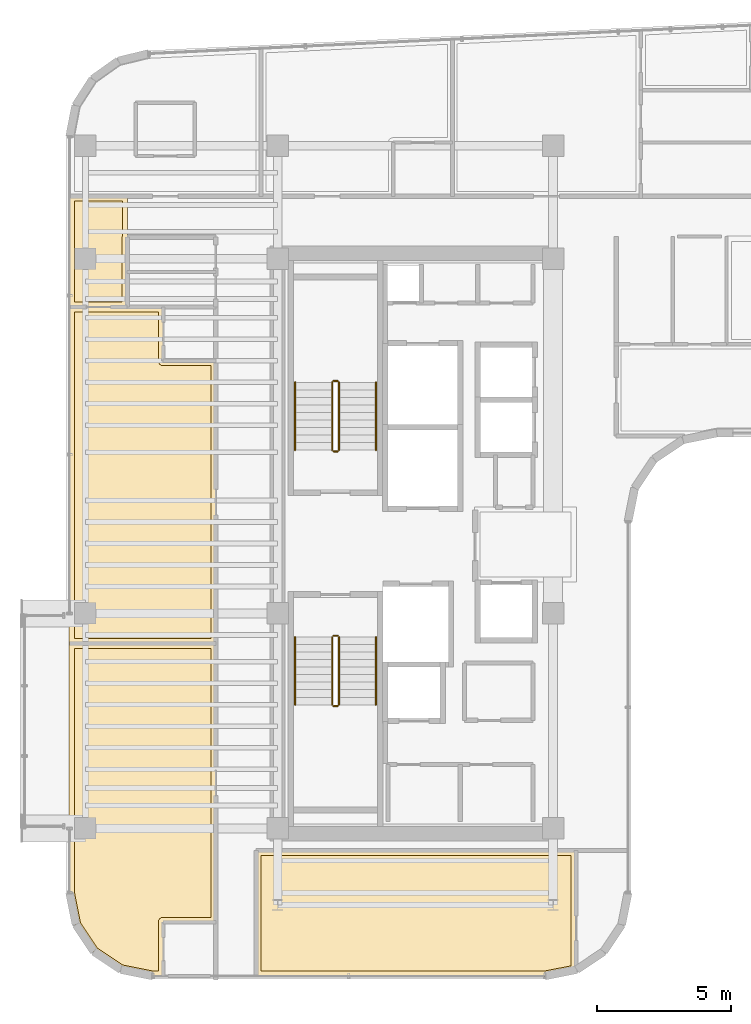
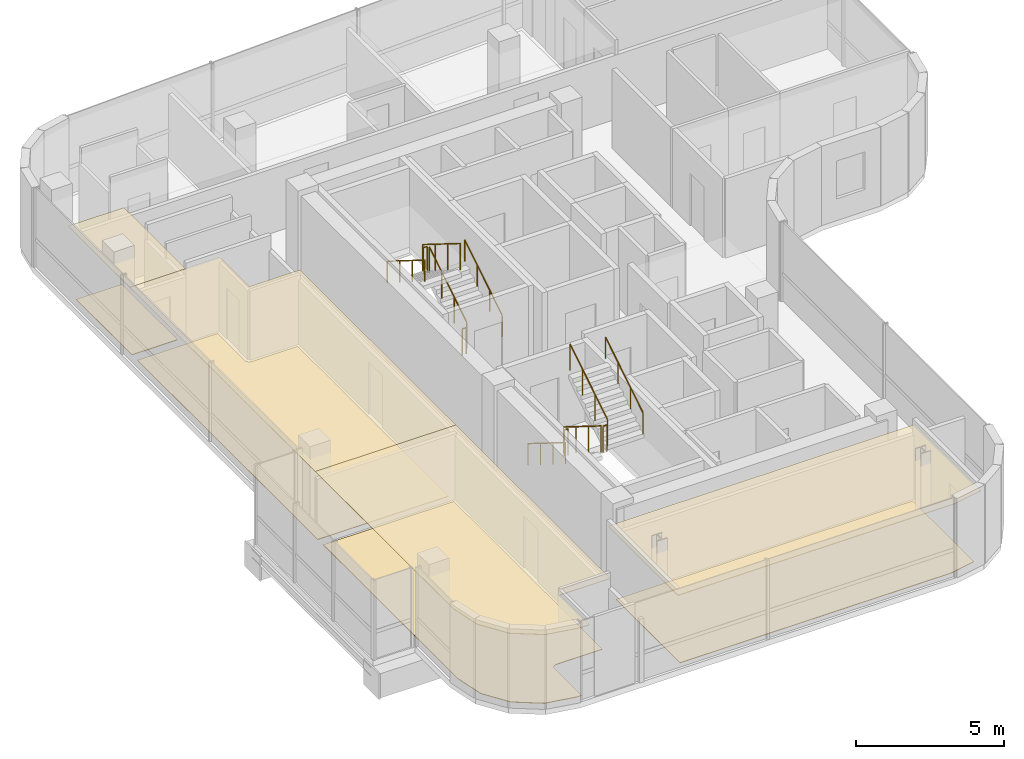
# One storey, part 18 of 19: 12 railings, 8 coverings.
"""IFC4 building model written with IfcOpenShell, lengths in metres."""

import ifcopenshell
import ifcopenshell.guid

model = None  # the IFC model being written
_history = None  # IfcOwnerHistory: only IFC2X3 demands one
_inside = {}  # id of a spatial element -> (the spatial element, [elements in it])
_under = {}  # id of a project, library or spatial element -> (it, [spatial elements below it])
_declared = {}  # id of a project -> (the project, [libraries it declares])
_typed = {}  # id of a type object -> (the type object, [elements of that type])
_made_of = {}  # id of a material, layer set ... -> (it, [elements and type objects made of it])


def new_model(schema):
    """Start an empty IFC model of exactly this schema.

    Asked for "IFC4X3", IfcOpenShell would pick the latest addendum, in which some entities
    have other attributes; the version numbers below select the first issue.
    IFC2X3 requires an IfcOwnerHistory on every rooted entity: one is made here for all.
    """
    global model, _history
    if schema == "IFC4X3":
        model = ifcopenshell.file(schema_version=(4, 3, 0, 0))
    else:
        model = ifcopenshell.file(schema=schema)
    _inside.clear()
    _under.clear()
    _declared.clear()
    _typed.clear()
    _made_of.clear()
    _history = None
    if model.schema == "IFC2X3":
        org = make("IfcOrganization", Name="unknown")
        user = make(
            "IfcPersonAndOrganization",
            ThePerson=make("IfcPerson", FamilyName="unknown"),
            TheOrganization=org,
        )
        app = make(
            "IfcApplication",
            ApplicationDeveloper=org,
            Version="unknown",
            ApplicationFullName="unknown",
            ApplicationIdentifier="unknown",
        )
        _history = make(
            "IfcOwnerHistory",
            OwningUser=user,
            OwningApplication=app,
            ChangeAction="ADDED",
            CreationDate=0,
        )
    return model


def make(cls, **values):
    """One entity of the class cls with the attributes given. An attribute that is None is left unset."""
    return model.create_entity(
        cls, **{name: value for name, value in values.items() if value is not None}
    )


def rooted(cls, **values):
    """An entity with a GlobalId (a new one), such as an element, a storey or a relation."""
    return make(cls, GlobalId=ifcopenshell.guid.new(), OwnerHistory=_history, **values)


def si_unit(unit_type, name, prefix=None):
    """IfcSIUnit, for example si_unit("LENGTHUNIT", "METRE", prefix="MILLI")."""
    return make("IfcSIUnit", UnitType=unit_type, Prefix=prefix, Name=name)


def assignment(units):
    """IfcUnitAssignment: the units of a project."""
    return None if units is None else make("IfcUnitAssignment", Units=units)


def point(xyz):
    """IfcCartesianPoint."""
    return None if xyz is None else make("IfcCartesianPoint", Coordinates=xyz)


def direction(xyz):
    """IfcDirection."""
    return None if xyz is None else make("IfcDirection", DirectionRatios=xyz)


def frame(location, z_axis=None, x_axis=None):
    """IfcAxis2Placement3D, a coordinate frame: its origin and axes. An axis left out is left unset."""
    return make(
        "IfcAxis2Placement3D",
        Location=point(location),
        Axis=direction(z_axis),
        RefDirection=direction(x_axis),
    )


def frame_2d(location, x_axis=None):
    """IfcAxis2Placement2D, a coordinate frame in the plane: its origin and x axis."""
    return make(
        "IfcAxis2Placement2D", Location=point(location), RefDirection=direction(x_axis)
    )


def origin():
    """The frame at (0, 0, 0) with its axes left unset."""
    return frame((0.0, 0.0, 0.0))


def origin_2d():
    """The frame at (0, 0) in the plane with its x axis left unset."""
    return frame_2d((0.0, 0.0))


def place(relative_to, where):
    """IfcLocalPlacement: puts the frame where relative to a parent placement (None: the world)."""
    return make(
        "IfcLocalPlacement", PlacementRelTo=relative_to, RelativePlacement=where
    )


def context(
    kind, dimensions, precision=None, world=None, true_north=None, identifier=None
):
    """IfcGeometricRepresentationContext, for example the 3D "Model" context."""
    return make(
        "IfcGeometricRepresentationContext",
        ContextIdentifier=identifier,
        ContextType=kind,
        CoordinateSpaceDimension=dimensions,
        Precision=precision,
        WorldCoordinateSystem=world,
        TrueNorth=true_north,
    )


def subcontext(parent, identifier, kind, view, scale=None):
    """IfcGeometricRepresentationSubContext, for example "Body" below "Model"."""
    return make(
        "IfcGeometricRepresentationSubContext",
        ContextIdentifier=identifier,
        ContextType=kind,
        ParentContext=parent,
        TargetScale=scale,
        TargetView=view,
    )


def project(units=None, contexts=None):
    """IfcProject with its units and contexts."""
    return rooted(
        "IfcProject",
        Name="project",
        RepresentationContexts=contexts,
        UnitsInContext=assignment(units),
    )


def spatial(cls, under=None, at=None, **own):
    """A site, building, storey or space (cls), placed at a placement, below another one or the project."""
    s = rooted(cls, ObjectPlacement=at, **own)
    if under is not None:
        _under.setdefault(under.id(), (under, []))[1].append(s)
    return s


def polyline(points):
    """IfcPolyline through the points."""
    return make("IfcPolyline", Points=[point(p) for p in points])


def profile(cls, at=None, kind="AREA", **sizes):
    """A parametric profile (cls). Its sizes go by their IFC names, for example OverallWidth=200.0."""
    return make(cls, ProfileType=kind, Position=at, **sizes)


def circle(**sizes):
    """IfcCircleProfileDef."""
    return profile("IfcCircleProfileDef", **sizes)


def outline(outer, holes=None, kind="AREA"):
    """IfcArbitraryClosedProfileDef: a profile drawn as a closed curve; with holes, ...WithVoids."""
    if holes is None:
        return make("IfcArbitraryClosedProfileDef", ProfileType=kind, OuterCurve=outer)
    return make(
        "IfcArbitraryProfileDefWithVoids",
        ProfileType=kind,
        OuterCurve=outer,
        InnerCurves=holes,
    )


def extrude(swept, where, along, depth):
    """IfcExtrudedAreaSolid: the profile swept, set in the frame where, extruded along a direction by depth."""
    return make(
        "IfcExtrudedAreaSolid",
        SweptArea=swept,
        Position=where,
        ExtrudedDirection=direction(along),
        Depth=depth,
    )


def shape(context_of_items, identifier, shape_type, items):
    """IfcShapeRepresentation: the items that make up one representation, for example the "Body"."""
    return make(
        "IfcShapeRepresentation",
        ContextOfItems=context_of_items,
        RepresentationIdentifier=identifier,
        RepresentationType=shape_type,
        Items=items,
    )


def material(Name=None, Category=None):
    """IfcMaterial."""
    return make("IfcMaterial", Name=Name, Category=Category)


def layer(
    of_material, thickness, ventilated=None, Name=None, Category=None, Priority=None
):
    """IfcMaterialLayer: one layer of a wall or slab, of a material (None: an air gap)."""
    return make(
        "IfcMaterialLayer",
        Material=of_material,
        LayerThickness=thickness,
        IsVentilated=ventilated,
        Name=Name,
        Category=Category,
        Priority=Priority,
    )


def layer_set(layers, Name=None):
    """IfcMaterialLayerSet."""
    return make("IfcMaterialLayerSet", MaterialLayers=layers, LayerSetName=Name)


def made_of(thing, what):
    """Note that an element or type object is made of a material, layer set ...; save() writes the relation."""
    if what is not None:
        _made_of.setdefault(what.id(), (what, []))[1].append(thing)
    return thing


def type_object(cls, material=None, **own):
    """A type object (cls), such as IfcWallType, which elements share."""
    return made_of(rooted(cls, **own), material)


def element(
    cls,
    number,
    at=None,
    inside=None,
    cuts=None,
    type_object=None,
    material=None,
    context=None,
    identifier="Body",
    shape_type=None,
    held_by="IfcProductDefinitionShape",
    body=None,
    shapes=None,
    **own,
):
    """One element of the class cls, such as IfcWall. Its Tag is "e" and its number.

    at: its placement. inside: the storey or other place that contains it. cuts: it is an
    opening in that element (IfcRelVoidsElement). A single representation is given by context,
    identifier, shape_type and body (its items); several are given by shapes. held_by: the class
    of the entity that holds the representations. save() writes the other relations.
    """
    e = rooted(cls, Tag="e%d" % number, ObjectPlacement=at, **own)
    if body is not None:
        shapes = [shape(context, identifier, shape_type, body)]
    if shapes is not None:
        e.Representation = make(held_by, Representations=shapes)
    if inside is not None:
        _inside.setdefault(inside.id(), (inside, []))[1].append(e)
    if cuts is not None:
        rooted(
            "IfcRelVoidsElement", RelatingBuildingElement=cuts, RelatedOpeningElement=e
        )
    if type_object is not None:
        _typed.setdefault(type_object.id(), (type_object, []))[1].append(e)
    return made_of(e, material)


def aggregate(whole, parts):
    """IfcRelAggregates: a whole, such as a stair, and the parts it consists of."""
    return rooted("IfcRelAggregates", RelatingObject=whole, RelatedObjects=parts)


def save(model, path):
    """Write the relations noted so far, then the file.

    IfcRelAggregates (storeys below a building ...), IfcRelContainedInSpatialStructure (elements
    in a storey), IfcRelDefinesByType, IfcRelAssociatesMaterial and IfcRelDeclares: one each for
    every whole, place, type object, material and project.
    """
    for whole, parts in _under.values():
        aggregate(whole, parts)
    for where, things in _inside.values():
        rooted(
            "IfcRelContainedInSpatialStructure",
            RelatedElements=things,
            RelatingStructure=where,
        )
    for kind, things in _typed.values():
        rooted("IfcRelDefinesByType", RelatedObjects=things, RelatingType=kind)
    for what, things in _made_of.values():
        rooted("IfcRelAssociatesMaterial", RelatedObjects=things, RelatingMaterial=what)
    for by, libraries in _declared.values():
        rooted("IfcRelDeclares", RelatingContext=by, RelatedDefinitions=libraries)
    model.write(path)


model = new_model("IFC4")

# Units and contexts
model_context = context("Model", 3, precision=1e-05, world=origin(), true_north=direction((0.0, 1.0)))
body_context = subcontext(model_context, "Body", "Model", "MODEL_VIEW")
ifc_project = project(units=[si_unit("LENGTHUNIT", "METRE"), si_unit("AREAUNIT", "SQUARE_METRE"), si_unit("VOLUMEUNIT", "CUBIC_METRE"), si_unit("PLANEANGLEUNIT", "RADIAN"), si_unit("MASSUNIT", "GRAM", prefix="KILO")], contexts=[model_context])

# Site, building, storey
site_placement = place(None, origin())
site = spatial("IfcSite", under=ifc_project, at=site_placement, CompositionType="ELEMENT")
building_placement = place(site_placement, origin())
building = spatial("IfcBuilding", under=site, at=building_placement, Name="Valdorenza Pilgrim Sanctuary Tower", CompositionType="ELEMENT")
storey_placement = place(building_placement, frame((0.0, 0.0, 266.0)))
storey = spatial("IfcBuildingStorey", under=building, at=storey_placement, Name="L69", CompositionType="ELEMENT", Elevation=266.0)

# Coverings
ifc_material_1 = material(Name="Micro-perforated acoustic mineral ceiling tile", Category="gypsum")
ifc_layer_1 = layer(ifc_material_1, 0.02490234375, Name="Micro-perforated acoustic mineral ceiling tile")
ifc_layer_set_1 = layer_set([ifc_layer_1], Name="Micro-perforated acoustic mineral ceiling tile")
covering_type_1 = type_object("IfcCoveringType", Name="COV-CLG-ACU", PredefinedType="CEILING", material=ifc_layer_set_1)
covering_1_placement = place(storey_placement, frame((0.0, 0.0, 2.9599609375)))
element("IfcCovering", 1, at=covering_1_placement, inside=storey, type_object=covering_type_1, Name="L69 Pilgrim Scholar Office L69-WN Acoustic Ceiling", PredefinedType="CEILING", context=body_context, shape_type="SweptSolid", body=[
    extrude(outline(polyline([(-28.237060546875, 11.39453125), (-28.237060546875, 10.103759765625), (-28.23681640625, 10.10302734375), (-28.23681640625, 10.1015625), (-28.23681640625, 10.10009765625), (-28.23681640625, 10.098388671875), (-28.237060546875, 10.09814453125), (-28.237060546875, 8.800048828125), (-28.237060546875, 8.798583984375), (-28.2373046875, 8.797119140625), (-28.237548828125, 8.795654296875), (-28.238037109375, 8.794189453125), (-28.23876953125, 8.79296875), (-28.239501953125, 8.791748046875), (-28.240478515625, 8.79052734375), (-28.241455078125, 8.789306640625), (-28.242431640625, 8.788330078125), (-28.24365234375, 8.78759765625), (-28.244873046875, 8.786865234375), (-28.246337890625, 8.7861328125), (-28.24755859375, 8.78564453125), (-28.2490234375, 8.785400390625), (-28.25048828125, 8.78515625), (-28.251953125, 8.784912109375), (-30.389892578125, 8.784912109375), (-30.3916015625, 8.78515625), (-30.392822265625, 8.785400390625), (-30.394287109375, 8.78564453125), (-30.395751953125, 8.7861328125), (-30.397216796875, 8.786865234375), (-30.398193359375, 8.78759765625), (-30.3994140625, 8.788330078125), (-30.400634765625, 8.789306640625), (-30.401611328125, 8.79052734375), (-30.402587890625, 8.791748046875), (-30.4033203125, 8.79296875), (-30.40380859375, 8.794189453125), (-30.404296875, 8.795654296875), (-30.40478515625, 8.797119140625), (-30.40478515625, 8.798583984375), (-30.405029296875, 8.800048828125), (-30.405029296875, 12.919921875), (-30.40478515625, 12.92138671875), (-30.40478515625, 12.9228515625), (-30.404296875, 12.92431640625), (-30.40380859375, 12.92578125), (-30.4033203125, 12.927001953125), (-30.402587890625, 12.92822265625), (-30.401611328125, 12.929443359375), (-30.400634765625, 12.9306640625), (-30.3994140625, 12.931640625), (-30.398193359375, 12.9326171875), (-30.397216796875, 12.93310546875), (-30.395751953125, 12.933837890625), (-30.394287109375, 12.934326171875), (-30.392822265625, 12.934814453125), (-30.3916015625, 12.934814453125), (-30.389892578125, 12.93505859375), (-28.25, 12.93505859375), (-28.24853515625, 12.934814453125), (-28.2470703125, 12.934814453125), (-28.24560546875, 12.934326171875), (-28.244384765625, 12.933837890625), (-28.242919921875, 12.93310546875), (-28.24169921875, 12.9326171875), (-28.240478515625, 12.931640625), (-28.239501953125, 12.9306640625), (-28.23828125, 12.929443359375), (-28.237548828125, 12.92822265625), (-28.23681640625, 12.927001953125), (-28.236083984375, 12.92578125), (-28.235595703125, 12.92431640625), (-28.2353515625, 12.9228515625), (-28.235107421875, 12.92138671875), (-28.235107421875, 12.919921875), (-28.235107421875, 11.402099609375), (-28.235107421875, 11.400390625), (-28.2353515625, 11.39892578125), (-28.235595703125, 11.3974609375), (-28.236083984375, 11.39599609375), (-28.23681640625, 11.394775390625), (-28.237060546875, 11.39453125)])), origin(), (0.0, 0.0, 1.0), 0.025146484375),
])
covering_2_placement = place(storey_placement, frame((0.0, 0.0, 2.9599609375)))
element("IfcCovering", 2, at=covering_2_placement, inside=storey, type_object=covering_type_1, Name="L69 Pilgrim Family Guest Room L69-W1 Acoustic Ceiling", PredefinedType="CEILING", context=body_context, shape_type="SweptSolid", body=[
    extrude(outline(polyline([(-30.405029296875, -3.719970703125), (-30.40478515625, -3.718505859375), (-30.40478515625, -3.717041015625), (-30.404296875, -3.715576171875), (-30.40380859375, -3.71435546875), (-30.4033203125, -3.712890625), (-30.402587890625, -3.711669921875), (-30.401611328125, -3.71044921875), (-30.400634765625, -3.70947265625), (-30.3994140625, -3.70849609375), (-30.398193359375, -3.70751953125), (-30.397216796875, -3.706787109375), (-30.395751953125, -3.7060546875), (-30.394287109375, -3.70556640625), (-30.392822265625, -3.705322265625), (-30.3916015625, -3.705078125), (-30.389892578125, -3.705078125), (-24.949951171875, -3.705078125), (-24.948486328125, -3.705078125), (-24.947021484375, -3.705322265625), (-24.945556640625, -3.70556640625), (-24.9443359375, -3.7060546875), (-24.94287109375, -3.706787109375), (-24.941650390625, -3.70751953125), (-24.9404296875, -3.70849609375), (-24.939453125, -3.70947265625), (-24.9384765625, -3.71044921875), (-24.9375, -3.711669921875), (-24.936767578125, -3.712890625), (-24.93603515625, -3.71435546875), (-24.935546875, -3.715576171875), (-24.935302734375, -3.717041015625), (-24.93505859375, -3.718505859375), (-24.93505859375, -3.719970703125), (-24.93505859375, -14.087890625), (-24.93505859375, -14.089599609375), (-24.935302734375, -14.0908203125), (-24.935546875, -14.09228515625), (-24.93603515625, -14.09375), (-24.936767578125, -14.09521484375), (-24.9375, -14.09619140625), (-24.9384765625, -14.097412109375), (-24.939453125, -14.0986328125), (-24.9404296875, -14.099609375), (-24.941650390625, -14.1005859375), (-24.94287109375, -14.101318359375), (-24.9443359375, -14.101806640625), (-24.945556640625, -14.102294921875), (-24.947021484375, -14.102783203125), (-24.948486328125, -14.102783203125), (-24.949951171875, -14.10302734375), (-26.89501953125, -14.10302734375), (-26.89501953125, -16.090087890625), (-26.89501953125, -16.091552734375), (-26.895263671875, -16.093017578125), (-26.8955078125, -16.094482421875), (-26.89599609375, -16.095703125), (-26.896728515625, -16.09716796875), (-26.8974609375, -16.098388671875), (-26.8984375, -16.099609375), (-26.8994140625, -16.1005859375), (-26.900390625, -16.1015625), (-26.901611328125, -16.1025390625), (-26.90283203125, -16.103271484375), (-26.904296875, -16.10400390625), (-26.905517578125, -16.1044921875), (-26.906982421875, -16.104736328125), (-26.908447265625, -16.10498046875), (-26.909912109375, -16.10498046875), (-27.289306640625, -16.10498046875), (-27.29052734375, -16.10498046875), (-27.2919921875, -16.104736328125), (-28.484619140625, -15.867431640625), (-28.486083984375, -15.8671875), (-28.4873046875, -15.86669921875), (-28.48876953125, -15.865966796875), (-28.489990234375, -15.865234375), (-29.49169921875, -15.19580078125), (-29.492919921875, -15.195068359375), (-29.493896484375, -15.194091796875), (-29.4951171875, -15.19287109375), (-29.495849609375, -15.191650390625), (-30.165283203125, -14.18994140625), (-30.166015625, -14.188720703125), (-30.16650390625, -14.1875), (-30.1669921875, -14.18603515625), (-30.16748046875, -14.1845703125), (-30.40478515625, -12.9921875), (-30.40478515625, -12.990478515625), (-30.405029296875, -12.9892578125), (-30.405029296875, -3.719970703125)])), origin(), (0.0, 0.0, 1.0), 0.025146484375),
])
covering_3_placement = place(storey_placement, frame((0.0, 0.0, 2.9599609375)))
element("IfcCovering", 3, at=covering_3_placement, inside=storey, type_object=covering_type_1, Name="L69 Pilgrim Family Guest Room L69-W2 Acoustic Ceiling", PredefinedType="CEILING", context=body_context, shape_type="SweptSolid", body=[
    extrude(outline(polyline([(-30.405029296875, 8.798095703125), (-30.40478515625, 8.799560546875), (-30.40478515625, 8.80078125), (-30.404296875, 8.802490234375), (-30.40380859375, 8.8037109375), (-30.4033203125, 8.80517578125), (-30.402587890625, 8.806396484375), (-30.401611328125, 8.8076171875), (-30.400634765625, 8.80859375), (-30.3994140625, 8.8095703125), (-30.398193359375, 8.810546875), (-30.397216796875, 8.811279296875), (-30.395751953125, 8.81201171875), (-30.394287109375, 8.8125), (-30.392822265625, 8.812744140625), (-30.3916015625, 8.81298828125), (-30.389892578125, 8.81298828125), (-28.253662109375, 8.81298828125), (-28.253173828125, 8.81298828125), (-28.25146484375, 8.813232421875), (-28.25, 8.813232421875), (-28.24853515625, 8.81298828125), (-28.248291015625, 8.81298828125), (-26.909912109375, 8.81298828125), (-26.908447265625, 8.81298828125), (-26.906982421875, 8.812744140625), (-26.905517578125, 8.8125), (-26.904296875, 8.81201171875), (-26.90283203125, 8.811279296875), (-26.901611328125, 8.810546875), (-26.900390625, 8.8095703125), (-26.8994140625, 8.80859375), (-26.8984375, 8.8076171875), (-26.8974609375, 8.806396484375), (-26.896728515625, 8.80517578125), (-26.89599609375, 8.8037109375), (-26.8955078125, 8.802490234375), (-26.895263671875, 8.80078125), (-26.89501953125, 8.799560546875), (-26.89501953125, 8.798095703125), (-26.89501953125, 6.81298828125), (-24.949951171875, 6.81298828125), (-24.948486328125, 6.81298828125), (-24.947021484375, 6.812744140625), (-24.945556640625, 6.8125), (-24.9443359375, 6.81201171875), (-24.94287109375, 6.811279296875), (-24.941650390625, 6.810546875), (-24.9404296875, 6.8095703125), (-24.939453125, 6.80859375), (-24.9384765625, 6.8076171875), (-24.9375, 6.806396484375), (-24.936767578125, 6.80517578125), (-24.93603515625, 6.8037109375), (-24.935546875, 6.802490234375), (-24.935302734375, 6.80078125), (-24.93505859375, 6.799560546875), (-24.93505859375, 6.798095703125), (-24.93505859375, -3.718017578125), (-24.93505859375, -3.719482421875), (-24.935302734375, -3.720947265625), (-24.935546875, -3.722412109375), (-24.93603515625, -3.7236328125), (-24.936767578125, -3.72509765625), (-24.9375, -3.726318359375), (-24.9384765625, -3.7275390625), (-24.939453125, -3.728515625), (-24.9404296875, -3.7294921875), (-24.941650390625, -3.73046875), (-24.94287109375, -3.731201171875), (-24.9443359375, -3.73193359375), (-24.945556640625, -3.732421875), (-24.947021484375, -3.732666015625), (-24.948486328125, -3.73291015625), (-24.949951171875, -3.73291015625), (-30.389892578125, -3.73291015625), (-30.3916015625, -3.73291015625), (-30.392822265625, -3.732666015625), (-30.394287109375, -3.732421875), (-30.395751953125, -3.73193359375), (-30.397216796875, -3.731201171875), (-30.398193359375, -3.73046875), (-30.3994140625, -3.7294921875), (-30.400634765625, -3.728515625), (-30.401611328125, -3.7275390625), (-30.402587890625, -3.726318359375), (-30.4033203125, -3.72509765625), (-30.40380859375, -3.7236328125), (-30.404296875, -3.722412109375), (-30.40478515625, -3.720947265625), (-30.40478515625, -3.719482421875), (-30.405029296875, -3.718017578125), (-30.405029296875, 8.798095703125)])), origin(), (0.0, 0.0, 1.0), 0.025146484375),
])
covering_4_placement = place(storey_placement, frame((0.0, 0.0, 2.9599609375)))
element("IfcCovering", 4, at=covering_4_placement, inside=storey, type_object=covering_type_1, Name="L69 South Contemplation Lounge L69 Acoustic Ceiling", PredefinedType="CEILING", context=body_context, shape_type="SweptSolid", body=[
    extrude(outline(polyline([(-11.550048828125, -11.405029296875), (-11.548583984375, -11.405029296875), (-11.547119140625, -11.4052734375), (-11.545654296875, -11.405517578125), (-11.544189453125, -11.406005859375), (-11.54296875, -11.40673828125), (-11.541748046875, -11.407470703125), (-11.54052734375, -11.408447265625), (-11.539306640625, -11.409423828125), (-11.538330078125, -11.410400390625), (-11.53759765625, -11.41162109375), (-11.536865234375, -11.412841796875), (-11.5361328125, -11.414306640625), (-11.53564453125, -11.41552734375), (-11.535400390625, -11.4169921875), (-11.53515625, -11.41845703125), (-11.534912109375, -11.419921875), (-11.534912109375, -15.859130859375), (-11.53515625, -15.860595703125), (-11.535400390625, -15.862060546875), (-11.53564453125, -15.86328125), (-11.5361328125, -15.86474609375), (-11.536865234375, -15.8662109375), (-11.53759765625, -15.867431640625), (-11.538330078125, -15.86865234375), (-11.539306640625, -15.86962890625), (-11.54052734375, -15.87060546875), (-11.541748046875, -15.87158203125), (-11.54296875, -15.872314453125), (-11.544189453125, -15.872802734375), (-11.545654296875, -15.873291015625), (-11.547119140625, -15.873779296875), (-12.7080078125, -16.104736328125), (-12.70947265625, -16.10498046875), (-12.710693359375, -16.10498046875), (-23.449951171875, -16.10498046875), (-23.451416015625, -16.10498046875), (-23.452880859375, -16.104736328125), (-23.454345703125, -16.1044921875), (-23.455810546875, -16.10400390625), (-23.45703125, -16.103271484375), (-23.458251953125, -16.1025390625), (-23.45947265625, -16.1015625), (-23.460693359375, -16.1005859375), (-23.461669921875, -16.099609375), (-23.46240234375, -16.098388671875), (-23.463134765625, -16.09716796875), (-23.4638671875, -16.095703125), (-23.46435546875, -16.094482421875), (-23.464599609375, -16.093017578125), (-23.46484375, -16.091552734375), (-23.465087890625, -16.090087890625), (-23.465087890625, -11.419921875), (-23.46484375, -11.41845703125), (-23.464599609375, -11.4169921875), (-23.46435546875, -11.41552734375), (-23.4638671875, -11.414306640625), (-23.463134765625, -11.412841796875), (-23.46240234375, -11.41162109375), (-23.461669921875, -11.410400390625), (-23.460693359375, -11.409423828125), (-23.45947265625, -11.408447265625), (-23.458251953125, -11.407470703125), (-23.45703125, -11.40673828125), (-23.455810546875, -11.406005859375), (-23.454345703125, -11.405517578125), (-23.452880859375, -11.4052734375), (-23.451416015625, -11.405029296875), (-23.449951171875, -11.405029296875), (-11.550048828125, -11.405029296875)])), origin(), (0.0, 0.0, 1.0), 0.025146484375),
])
ifc_material_2 = material(Name="Engineered European oak timber flooring", Category="wood")
ifc_layer_2 = layer(ifc_material_2, 0.02197265625, Name="Engineered European oak timber flooring")
ifc_layer_set_2 = layer_set([ifc_layer_2], Name="Engineered European oak timber flooring")
covering_type_2 = type_object("IfcCoveringType", Name="COV-FLR-OAK", PredefinedType="FLOORING", material=ifc_layer_set_2)
covering_5_placement = place(storey_placement, origin())
element("IfcCovering", 5, at=covering_5_placement, inside=storey, type_object=covering_type_2, Name="L69 Pilgrim Family Guest Room L69-W1 Flooring", PredefinedType="FLOORING", context=body_context, shape_type="SweptSolid", body=[
    extrude(outline(polyline([(-30.2099609375, -3.89990234375), (-25.1298828125, -3.89990234375), (-25.1298828125, -13.907958984375), (-26.907958984375, -13.907958984375), (-26.916748046875, -13.908203125), (-26.9169921875, -13.908203125), (-26.9345703125, -13.909912109375), (-26.934814453125, -13.909912109375), (-26.9521484375, -13.913330078125), (-26.952392578125, -13.91357421875), (-26.96923828125, -13.918701171875), (-26.969482421875, -13.918701171875), (-26.985595703125, -13.92529296875), (-26.98583984375, -13.925537109375), (-27.00146484375, -13.933837890625), (-27.001708984375, -13.933837890625), (-27.016357421875, -13.94384765625), (-27.0166015625, -13.94384765625), (-27.030029296875, -13.955078125), (-27.0302734375, -13.955078125), (-27.042724609375, -13.9677734375), (-27.04296875, -13.968017578125), (-27.05419921875, -13.9814453125), (-27.05419921875, -13.981689453125), (-27.064208984375, -13.996337890625), (-27.064208984375, -13.99658203125), (-27.072509765625, -14.01220703125), (-27.072509765625, -14.01220703125), (-27.079345703125, -14.028564453125), (-27.079345703125, -14.02880859375), (-27.08447265625, -14.045654296875), (-27.084716796875, -14.0458984375), (-27.087890625, -14.063232421875), (-27.087890625, -14.0634765625), (-27.08984375, -14.0810546875), (-27.08984375, -14.081298828125), (-27.090087890625, -14.090087890625), (-27.090087890625, -15.909912109375), (-27.271484375, -15.909912109375), (-28.411376953125, -15.68310546875), (-29.353515625, -15.0537109375), (-29.983154296875, -14.111328125), (-30.2099609375, -12.971435546875), (-30.2099609375, -3.89990234375)])), origin(), (0.0, 0.0, 1.0), 0.02490234375),
])
covering_6_placement = place(storey_placement, origin())
element("IfcCovering", 6, at=covering_6_placement, inside=storey, type_object=covering_type_2, Name="L69 Pilgrim Family Guest Room L69-W2 Flooring", PredefinedType="FLOORING", context=body_context, shape_type="SweptSolid", body=[
    extrude(outline(polyline([(-30.2099609375, 8.617919921875), (-28.251953125, 8.617919921875), (-28.2509765625, 8.617919921875), (-28.250244140625, 8.617919921875), (-28.25, 8.617919921875), (-27.090087890625, 8.617919921875), (-27.090087890625, 6.800048828125), (-27.08984375, 6.791259765625), (-27.08984375, 6.791015625), (-27.087890625, 6.7734375), (-27.087890625, 6.773193359375), (-27.084716796875, 6.755859375), (-27.08447265625, 6.755615234375), (-27.079345703125, 6.73876953125), (-27.079345703125, 6.738525390625), (-27.072509765625, 6.722412109375), (-27.072509765625, 6.72216796875), (-27.064208984375, 6.70654296875), (-27.064208984375, 6.706298828125), (-27.05419921875, 6.691650390625), (-27.05419921875, 6.69140625), (-27.04296875, 6.677978515625), (-27.042724609375, 6.677734375), (-27.0302734375, 6.665283203125), (-27.030029296875, 6.6650390625), (-27.0166015625, 6.65380859375), (-27.016357421875, 6.65380859375), (-27.001708984375, 6.643798828125), (-27.00146484375, 6.643798828125), (-26.98583984375, 6.635498046875), (-26.985595703125, 6.635498046875), (-26.969482421875, 6.628662109375), (-26.96923828125, 6.628662109375), (-26.952392578125, 6.62353515625), (-26.9521484375, 6.623291015625), (-26.934814453125, 6.6201171875), (-26.9345703125, 6.6201171875), (-26.9169921875, 6.6181640625), (-26.916748046875, 6.6181640625), (-26.907958984375, 6.617919921875), (-25.1298828125, 6.617919921875), (-25.1298828125, -3.5380859375), (-30.2099609375, -3.5380859375), (-30.2099609375, 8.617919921875)])), origin(), (0.0, 0.0, 1.0), 0.02490234375),
])
ifc_material_3 = material(Name="Honed travertine stone flooring", Category="masonry")
ifc_layer_3 = layer(ifc_material_3, 0.030029296875, Name="Honed travertine stone flooring")
ifc_layer_set_3 = layer_set([ifc_layer_3], Name="Honed travertine stone flooring")
covering_type_3 = type_object("IfcCoveringType", Name="COV-FLR-TRV", PredefinedType="FLOORING", material=ifc_layer_set_3)
covering_7_placement = place(storey_placement, origin())
element("IfcCovering", 7, at=covering_7_placement, inside=storey, type_object=covering_type_3, Name="L69 Pilgrim Scholar Office L69-WN Flooring", PredefinedType="FLOORING", context=body_context, shape_type="SweptSolid", body=[
    extrude(outline(polyline([(-28.431884765625, 10.100341796875), (-28.431884765625, 10.10009765625), (-28.431884765625, 8.97998046875), (-30.2099609375, 8.97998046875), (-30.2099609375, 12.739990234375), (-28.429931640625, 12.739990234375), (-28.429931640625, 11.427001953125), (-28.429931640625, 11.4267578125), (-28.429931640625, 11.426513671875), (-28.431884765625, 11.408935546875), (-28.431884765625, 11.40869140625), (-28.431884765625, 11.39990234375), (-28.431884765625, 10.10205078125), (-28.431884765625, 10.10107421875), (-28.431884765625, 10.100341796875)])), origin(), (0.0, 0.0, 1.0), 0.02490234375),
])
covering_8_placement = place(storey_placement, origin())
element("IfcCovering", 8, at=covering_8_placement, inside=storey, type_object=covering_type_3, Name="L69 South Contemplation Lounge L69 Flooring", PredefinedType="FLOORING", context=body_context, shape_type="SweptSolid", body=[
    extrude(outline(polyline([(-11.72998046875, -11.60009765625), (-11.72998046875, -15.71142578125), (-12.728515625, -15.909912109375), (-23.27001953125, -15.909912109375), (-23.27001953125, -11.60009765625), (-11.72998046875, -11.60009765625)])), origin(), (0.0, 0.0, 1.0), 0.02490234375),
])

# Railings
ifc_material_4 = material(Name="Stainless steel Grade 316", Category="steel")
railing_type_1 = type_object("IfcRailingType", Name="RLG-GRD-1120", PredefinedType="GUARDRAIL", material=ifc_material_4)
railing_1_placement = place(storey_placement, frame((-20.3701171875, 3.47998046875, 0.175048828125)))
element("IfcRailing", 9, at=railing_1_placement, inside=storey, type_object=railing_type_1, Name="L69 ST-A1 stair guard 1", PredefinedType="GUARDRAIL", context=body_context, shape_type="SweptSolid", body=[
    extrude(circle(Radius=0.02392578125, at=origin_2d()), frame((0.0, 0.0, 1.076171875), z_axis=(0.0, 0.848007534815, 0.529984170421), x_axis=(-1.0, 0.0, 0.0)), (0.0, 0.0, 1.0), 2.9716796875),
    extrude(circle(Radius=0.02099609375, at=origin_2d()), origin(), (0.0, 0.0, 1.0), 1.052001953125),
    extrude(circle(Radius=0.02099609375, at=origin_2d()), frame((0.0, 0.840087890625, 0.52490234375)), (0.0, 0.0, 1.0), 1.052001953125),
    extrude(circle(Radius=0.02099609375, at=origin_2d()), frame((0.0, 1.679931640625, 1.050048828125)), (0.0, 0.0, 1.0), 1.052001953125),
    extrude(circle(Radius=0.02099609375, at=origin_2d()), frame((0.0, 2.52001953125, 1.574951171875)), (0.0, 0.0, 1.0), 1.052001953125),
])
railing_2_placement = place(storey_placement, frame((-20.419921875, 6.050048828125, 1.75)))
element("IfcRailing", 10, at=railing_2_placement, inside=storey, type_object=railing_type_1, Name="L69 ST-A1 stair guard 2", PredefinedType="GUARDRAIL", context=body_context, shape_type="SweptSolid", body=[
    extrude(circle(Radius=0.02392578125, at=origin_2d()), frame((0.0, 0.0, 1.076171875), z_axis=(-1.0, 0.0, 0.0), x_axis=(0.0, -1.0, 0.0)), (0.0, 0.0, 1.0), 0.150146484375),
    extrude(circle(Radius=0.02099609375, at=origin_2d()), origin(), (0.0, 0.0, 1.0), 1.052001953125),
    extrude(circle(Radius=0.02099609375, at=origin_2d()), frame((-0.150146484375, 0.0, 0.0)), (0.0, 0.0, 1.0), 1.052001953125),
])
railing_3_placement = place(storey_placement, frame((-20.6201171875, 6.0, 1.925048828125)))
element("IfcRailing", 11, at=railing_3_placement, inside=storey, type_object=railing_type_1, Name="L69 ST-A1 stair guard 3", PredefinedType="GUARDRAIL", context=body_context, shape_type="SweptSolid", body=[
    extrude(circle(Radius=0.02392578125, at=origin_2d()), frame((0.0, 0.0, 1.076171875), z_axis=(0.0, -0.848007534815, 0.529984170421), x_axis=(1.0, 0.0, 0.0)), (0.0, 0.0, 1.0), 2.9716796875),
    extrude(circle(Radius=0.02099609375, at=origin_2d()), origin(), (0.0, 0.0, 1.0), 1.052001953125),
    extrude(circle(Radius=0.02099609375, at=origin_2d()), frame((0.0, -0.840087890625, 0.52490234375)), (0.0, 0.0, 1.0), 1.052001953125),
    extrude(circle(Radius=0.02099609375, at=origin_2d()), frame((0.0, -1.679931640625, 1.050048828125)), (0.0, 0.0, 1.0), 1.052001953125),
    extrude(circle(Radius=0.02099609375, at=origin_2d()), frame((0.0, -2.52001953125, 1.574951171875)), (0.0, 0.0, 1.0), 1.052001953125),
])
railing_4_placement = place(storey_placement, frame((-20.419921875, 3.429931640625, 0.0)))
element("IfcRailing", 12, at=railing_4_placement, inside=storey, type_object=railing_type_1, Name="L69 ST-A1 stair guard 4", PredefinedType="GUARDRAIL", context=body_context, shape_type="SweptSolid", body=[
    extrude(circle(Radius=0.02392578125, at=origin_2d()), frame((0.0, 0.0, 1.076171875), z_axis=(-1.0, 0.0, 0.0), x_axis=(0.0, -1.0, 0.0)), (0.0, 0.0, 1.0), 0.150146484375),
    extrude(circle(Radius=0.02099609375, at=origin_2d()), origin(), (0.0, 0.0, 1.0), 1.052001953125),
    extrude(circle(Radius=0.02099609375, at=origin_2d()), frame((-0.150146484375, 0.0, 0.0)), (0.0, 0.0, 1.0), 1.052001953125),
])
railing_5_placement = place(storey_placement, frame((-20.6201171875, -3.47998046875, 0.175048828125)))
element("IfcRailing", 13, at=railing_5_placement, inside=storey, type_object=railing_type_1, Name="L69 ST-A2 stair guard 1", PredefinedType="GUARDRAIL", context=body_context, shape_type="SweptSolid", body=[
    extrude(circle(Radius=0.02392578125, at=origin_2d()), frame((0.0, 0.0, 1.076171875), z_axis=(0.0, -0.848007534815, 0.529984170421), x_axis=(1.0, 0.0, 0.0)), (0.0, 0.0, 1.0), 2.9716796875),
    extrude(circle(Radius=0.02099609375, at=origin_2d()), origin(), (0.0, 0.0, 1.0), 1.052001953125),
    extrude(circle(Radius=0.02099609375, at=origin_2d()), frame((0.0, -0.840087890625, 0.52490234375)), (0.0, 0.0, 1.0), 1.052001953125),
    extrude(circle(Radius=0.02099609375, at=origin_2d()), frame((0.0, -1.679931640625, 1.050048828125)), (0.0, 0.0, 1.0), 1.052001953125),
    extrude(circle(Radius=0.02099609375, at=origin_2d()), frame((0.0, -2.52001953125, 1.574951171875)), (0.0, 0.0, 1.0), 1.052001953125),
])
railing_6_placement = place(storey_placement, frame((-20.570068359375, -6.050048828125, 1.75)))
element("IfcRailing", 14, at=railing_6_placement, inside=storey, type_object=railing_type_1, Name="L69 ST-A2 stair guard 2", PredefinedType="GUARDRAIL", context=body_context, shape_type="SweptSolid", body=[
    extrude(circle(Radius=0.02392578125, at=origin_2d()), frame((0.0, 0.0, 1.076171875), z_axis=(1.0, 0.0, 0.0), x_axis=(0.0, 1.0, 0.0)), (0.0, 0.0, 1.0), 0.150146484375),
    extrude(circle(Radius=0.02099609375, at=origin_2d()), origin(), (0.0, 0.0, 1.0), 1.052001953125),
    extrude(circle(Radius=0.02099609375, at=origin_2d()), frame((0.150146484375, 0.0, 0.0)), (0.0, 0.0, 1.0), 1.052001953125),
])
railing_7_placement = place(storey_placement, frame((-20.3701171875, -6.0, 1.925048828125)))
element("IfcRailing", 15, at=railing_7_placement, inside=storey, type_object=railing_type_1, Name="L69 ST-A2 stair guard 3", PredefinedType="GUARDRAIL", context=body_context, shape_type="SweptSolid", body=[
    extrude(circle(Radius=0.02392578125, at=origin_2d()), frame((0.0, 0.0, 1.076171875), z_axis=(0.0, 0.848007534815, 0.529984170421), x_axis=(-1.0, 0.0, 0.0)), (0.0, 0.0, 1.0), 2.9716796875),
    extrude(circle(Radius=0.02099609375, at=origin_2d()), origin(), (0.0, 0.0, 1.0), 1.052001953125),
    extrude(circle(Radius=0.02099609375, at=origin_2d()), frame((0.0, 0.840087890625, 0.52490234375)), (0.0, 0.0, 1.0), 1.052001953125),
    extrude(circle(Radius=0.02099609375, at=origin_2d()), frame((0.0, 1.679931640625, 1.050048828125)), (0.0, 0.0, 1.0), 1.052001953125),
    extrude(circle(Radius=0.02099609375, at=origin_2d()), frame((0.0, 2.52001953125, 1.574951171875)), (0.0, 0.0, 1.0), 1.052001953125),
])
railing_8_placement = place(storey_placement, frame((-20.570068359375, -3.429931640625, 0.0)))
element("IfcRailing", 16, at=railing_8_placement, inside=storey, type_object=railing_type_1, Name="L69 ST-A2 stair guard 4", PredefinedType="GUARDRAIL", context=body_context, shape_type="SweptSolid", body=[
    extrude(circle(Radius=0.02392578125, at=origin_2d()), frame((0.0, 0.0, 1.076171875), z_axis=(1.0, 0.0, 0.0), x_axis=(0.0, 1.0, 0.0)), (0.0, 0.0, 1.0), 0.150146484375),
    extrude(circle(Radius=0.02099609375, at=origin_2d()), origin(), (0.0, 0.0, 1.0), 1.052001953125),
    extrude(circle(Radius=0.02099609375, at=origin_2d()), frame((0.150146484375, 0.0, 0.0)), (0.0, 0.0, 1.0), 1.052001953125),
])
ifc_material_5 = material(Name="Brushed stainless steel Grade 316", Category="steel")
railing_type_2 = type_object("IfcRailingType", Name="RLG-HND-920", PredefinedType="HANDRAIL", material=ifc_material_5)
railing_9_placement = place(storey_placement, frame((-18.989990234375, 3.47998046875, 0.175048828125)))
element("IfcRailing", 17, at=railing_9_placement, inside=storey, type_object=railing_type_2, Name="L69 ST-A1 stair handrail 1", PredefinedType="HANDRAIL", context=body_context, shape_type="SweptSolid", body=[
    extrude(circle(Radius=0.02392578125, at=origin_2d()), frame((0.0, 0.0, 0.8759765625), z_axis=(0.0, 0.848007534815, 0.529984170421), x_axis=(-1.0, 0.0, 0.0)), (0.0, 0.0, 1.0), 2.9716796875),
    extrude(circle(Radius=0.02099609375, at=origin_2d()), origin(), (0.0, 0.0, 1.0), 0.851806640625),
    extrude(circle(Radius=0.02099609375, at=origin_2d()), frame((0.0, 0.840087890625, 0.52490234375)), (0.0, 0.0, 1.0), 0.851806640625),
    extrude(circle(Radius=0.02099609375, at=origin_2d()), frame((0.0, 1.679931640625, 1.050048828125)), (0.0, 0.0, 1.0), 0.851806640625),
    extrude(circle(Radius=0.02099609375, at=origin_2d()), frame((0.0, 2.52001953125, 1.574951171875)), (0.0, 0.0, 1.0), 0.851806640625),
])
for number, where, name in (
    (18, (-22.0, 6.0, 1.925048828125), "L69 ST-A1 stair handrail 2"),
    (19, (-22.0, -3.47998046875, 0.175048828125), "L69 ST-A2 stair handrail 1"),
):
    element("IfcRailing", number, at=place(storey_placement, frame(where)), inside=storey, type_object=railing_type_2, Name=name, PredefinedType="HANDRAIL", context=body_context, shape_type="SweptSolid", body=[
        extrude(circle(Radius=0.02392578125, at=origin_2d()), frame((0.0, 0.0, 0.8759765625), z_axis=(0.0, -0.848007534815, 0.529984170421), x_axis=(1.0, 0.0, 0.0)), (0.0, 0.0, 1.0), 2.9716796875),
        extrude(circle(Radius=0.02099609375, at=origin_2d()), origin(), (0.0, 0.0, 1.0), 0.851806640625),
        extrude(circle(Radius=0.02099609375, at=origin_2d()), frame((0.0, -0.840087890625, 0.52490234375)), (0.0, 0.0, 1.0), 0.851806640625),
        extrude(circle(Radius=0.02099609375, at=origin_2d()), frame((0.0, -1.679931640625, 1.050048828125)), (0.0, 0.0, 1.0), 0.851806640625),
        extrude(circle(Radius=0.02099609375, at=origin_2d()), frame((0.0, -2.52001953125, 1.574951171875)), (0.0, 0.0, 1.0), 0.851806640625),
    ])
railing_10_placement = place(storey_placement, frame((-18.989990234375, -6.0, 1.925048828125)))
element("IfcRailing", 20, at=railing_10_placement, inside=storey, type_object=railing_type_2, Name="L69 ST-A2 stair handrail 2", PredefinedType="HANDRAIL", context=body_context, shape_type="SweptSolid", body=[
    extrude(circle(Radius=0.02392578125, at=origin_2d()), frame((0.0, 0.0, 0.8759765625), z_axis=(0.0, 0.848007534815, 0.529984170421), x_axis=(-1.0, 0.0, 0.0)), (0.0, 0.0, 1.0), 2.9716796875),
    extrude(circle(Radius=0.02099609375, at=origin_2d()), origin(), (0.0, 0.0, 1.0), 0.851806640625),
    extrude(circle(Radius=0.02099609375, at=origin_2d()), frame((0.0, 0.840087890625, 0.52490234375)), (0.0, 0.0, 1.0), 0.851806640625),
    extrude(circle(Radius=0.02099609375, at=origin_2d()), frame((0.0, 1.679931640625, 1.050048828125)), (0.0, 0.0, 1.0), 0.851806640625),
    extrude(circle(Radius=0.02099609375, at=origin_2d()), frame((0.0, 2.52001953125, 1.574951171875)), (0.0, 0.0, 1.0), 0.851806640625),
])

save(model, "model.ifc")
